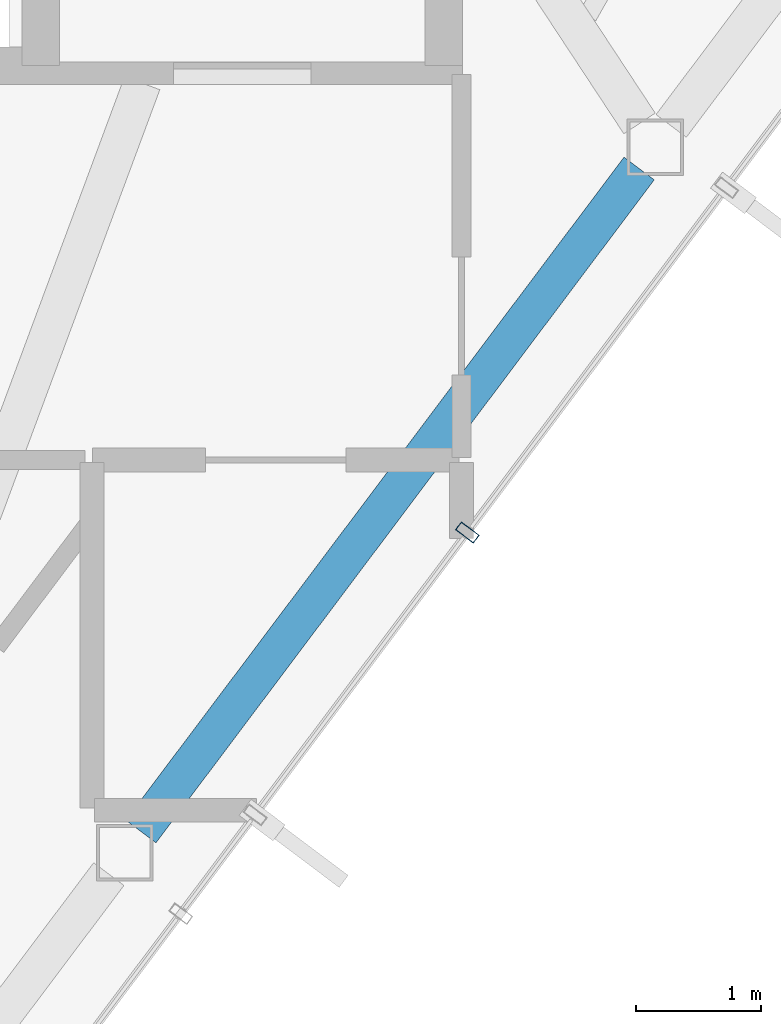
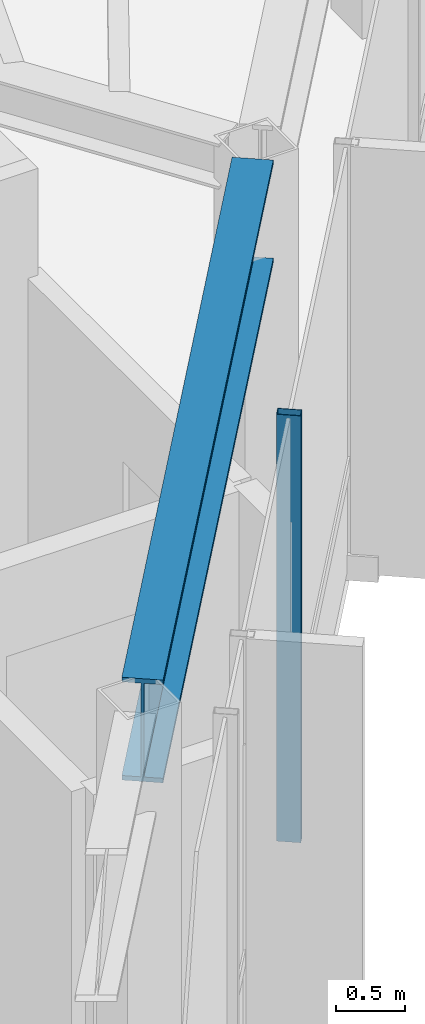
# One storey, part 7 of 21: 1 beam, 1 member, 1 element without a shape of its own.
"""IFC4 building model written with IfcOpenShell, lengths in metres."""

from ifc_helpers import new_model, si_unit, direction, frame, origin, origin_2d, place, context, subcontext, project, spatial, hollow_rectangle, i_section, extrude, material, layer, layer_set, material_profile, profile_set, type_object, element, aggregate, save


model = new_model("IFC4")

# Units and contexts
model_context = context("Model", 3, precision=1e-05, world=origin(), true_north=direction((0.0, 1.0)))
body_context = subcontext(model_context, "Body", "Model", "MODEL_VIEW")
ifc_project = project(units=[si_unit("LENGTHUNIT", "METRE"), si_unit("AREAUNIT", "SQUARE_METRE"), si_unit("VOLUMEUNIT", "CUBIC_METRE"), si_unit("PLANEANGLEUNIT", "RADIAN"), si_unit("MASSUNIT", "GRAM", prefix="KILO")], contexts=[model_context])

# Site, building, storey
site_placement = place(None, origin())
site = spatial("IfcSite", under=ifc_project, at=site_placement, CompositionType="ELEMENT")
building_placement = place(site_placement, origin())
building = spatial("IfcBuilding", under=site, at=building_placement, Name="Zarrinselat Tower", CompositionType="ELEMENT")
storey_placement = place(building_placement, frame((0.0, 0.0, 299.199951171875)))
storey = spatial("IfcBuildingStorey", under=building, at=storey_placement, Name="L77", CompositionType="ELEMENT", Elevation=299.199951171875)

# Beam
ifc_material_1 = material(Name="Steel S460M", Category="steel")
ifc_material_profile_1 = material_profile(ifc_material_1, i_section(OverallWidth=0.302001953125, OverallDepth=0.909912109375, WebThickness=0.02099609375, FlangeThickness=0.0400390625, at=origin_2d()), Name="HEM 900")
ifc_profile_set_1 = profile_set([ifc_material_profile_1], Name="Steel S460M")
beam_type = type_object("IfcBeamType", Name="BM-HEM900", PredefinedType="BEAM", material=ifc_profile_set_1)
beam_placement = place(storey_placement, frame((45.7890625, 27.18115234375, 3.324951171875), z_axis=(0.600854389403, 0.799358494504, 0.0), x_axis=(-0.799358494504, 0.600854389403, 0.0)))
element("IfcBeam", 1, at=beam_placement, inside=storey, type_object=beam_type, Name="L77 Perimeter Spandrel Girder SP12", PredefinedType="BEAM", context=body_context, shape_type="SweptSolid", body=[
    extrude(i_section(OverallWidth=0.302001953125, OverallDepth=0.909912109375, WebThickness=0.02099609375, FlangeThickness=0.0400390625, at=origin_2d()), origin(), (0.0, 0.0, 1.0), 6.626708984375),
])

# Curtain wall, member
ifc_material_2 = material(Name="Extruded Aluminium Alloy EN AW-6063 T6", Category="aluminium")
ifc_layer = layer(ifc_material_2, 0.199951171875)
ifc_layer_set = layer_set([ifc_layer], Name="Extruded Aluminium Alloy EN AW-6063 T6")
curtain_wall_type = type_object("IfcCurtainWallType", Name="CWS-BLADE", PredefinedType="NOTDEFINED", material=ifc_layer_set)
curtain_wall_placement = place(storey_placement, origin())
curtain_wall = element("IfcCurtainWall", 2, at=curtain_wall_placement, inside=storey, type_object=curtain_wall_type, Name="L77 Unitised Curtain Wall CW-L77-E05", PredefinedType="NOTDEFINED")
ifc_material_3 = material(Name="Extruded Aluminium Alloy EN AW-6063 T6", Category="aluminium")
ifc_material_profile_2 = material_profile(ifc_material_3, hollow_rectangle(XDim=0.080078125, YDim=0.179931640625, WallThickness=0.0048828125, at=origin_2d()), Name="RHS 180x80x5")
ifc_profile_set_2 = profile_set([ifc_material_profile_2], Name="Extruded Aluminium Alloy EN AW-6063 T6")
member_type = type_object("IfcMemberType", Name="MEM-CW-MUL", PredefinedType="MULLION", material=ifc_profile_set_2)
member_placement = place(storey_placement, frame((48.39794921875, 29.570068359375, 0.0), z_axis=(0.0, 0.0, 1.0), x_axis=(0.600848494465, 0.799362925522, 0.0)))
member = element("IfcMember", 3, at=member_placement, type_object=member_type, Name="CW-L77-E05 Mullion 4", PredefinedType="MULLION", context=body_context, shape_type="SweptSolid", body=[
    extrude(hollow_rectangle(XDim=0.080078125, YDim=0.179931640625, WallThickness=0.0048828125, at=origin_2d()), origin(), (0.0, 0.0, 1.0), 3.780029296875),
])
aggregate(curtain_wall, [member])

save(model, "model.ifc")
